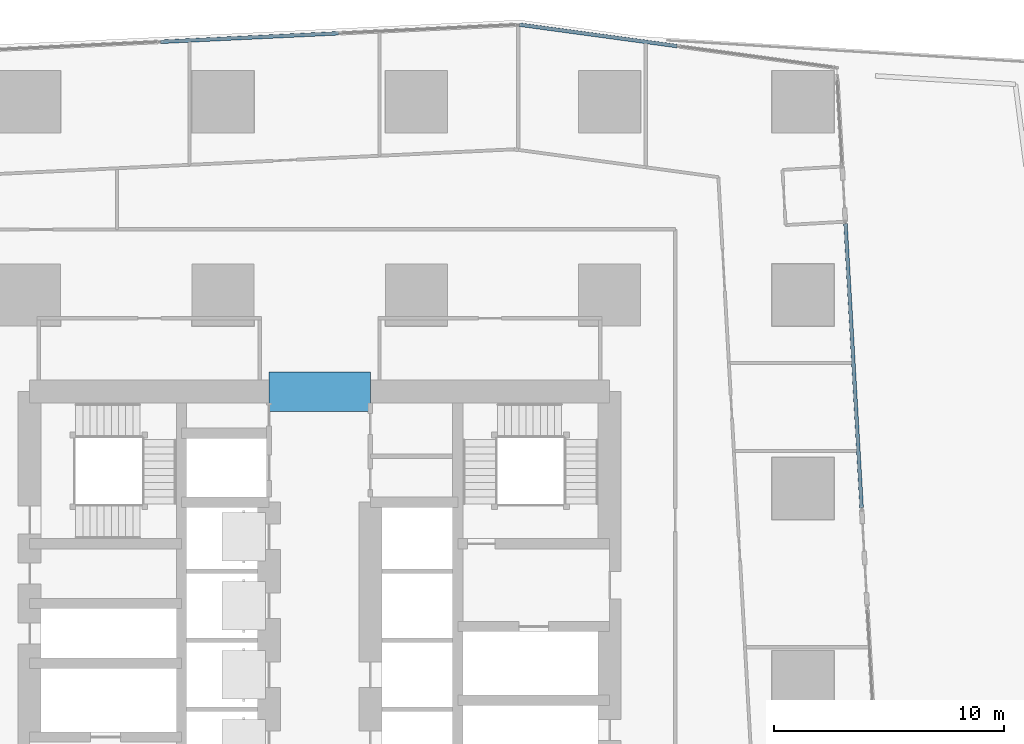
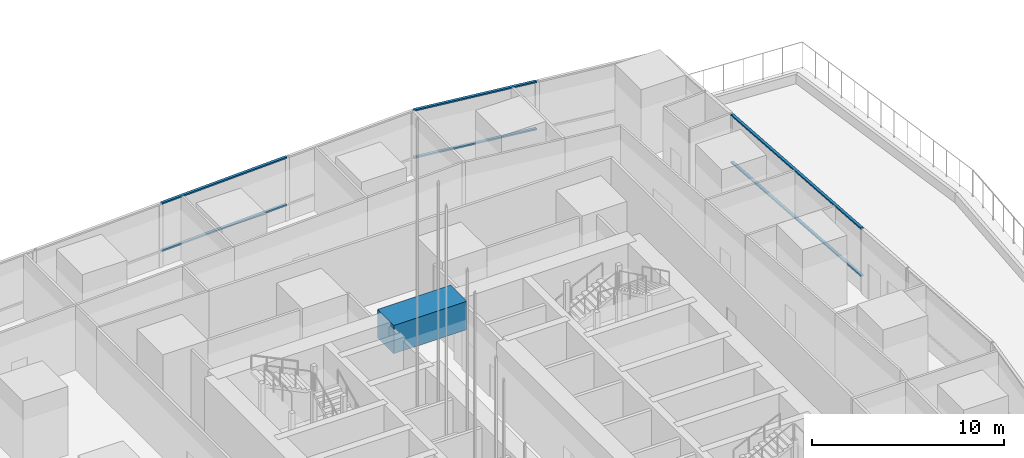
# One storey, part 10 of 39: 6 members, 1 beam, 3 elements without a shape of their own.
"""IFC4 building model written with IfcOpenShell, lengths in metres."""

from ifc_helpers import new_model, si_unit, direction, frame, origin, origin_2d, place, context, subcontext, project, spatial, rectangle, hollow_rectangle, extrude, material, material_profile, profile_set, type_object, element, aggregate, save


model = new_model("IFC4")

# Units and contexts
model_context = context("Model", 3, precision=1e-05, world=origin(), true_north=direction((0.0, 1.0)))
body_context = subcontext(model_context, "Body", "Model", "MODEL_VIEW")
ifc_project = project(units=[si_unit("LENGTHUNIT", "METRE"), si_unit("AREAUNIT", "SQUARE_METRE"), si_unit("VOLUMEUNIT", "CUBIC_METRE"), si_unit("PLANEANGLEUNIT", "RADIAN"), si_unit("MASSUNIT", "GRAM", prefix="KILO")], contexts=[model_context])

# Site, building, storey
site_placement = place(None, origin())
site = spatial("IfcSite", under=ifc_project, at=site_placement, CompositionType="ELEMENT")
building_placement = place(site_placement, origin())
building = spatial("IfcBuilding", under=site, at=building_placement, Name="Rekha Terrace Tower", CompositionType="ELEMENT")
storey_placement = place(building_placement, frame((0.0, 0.0, 168.199951171875)))
storey = spatial("IfcBuildingStorey", under=building, at=storey_placement, Name="L42", CompositionType="ELEMENT", Elevation=168.199951171875)

# Curtain wall, members
ifc_material_1 = material(Name="Aluminium framing", Category="aluminium")
curtain_wall_type = type_object("IfcCurtainWallType", Name="CW5 sky garden glazing", PredefinedType="USERDEFINED", material=ifc_material_1)
curtain_wall_1_placement = place(storey_placement, origin())
curtain_wall_1 = element("IfcCurtainWall", 1, at=curtain_wall_1_placement, inside=storey, type_object=curtain_wall_type, Name="CW5 sky garden curtain wall", ObjectType="SKY GARDEN CURTAIN WALL", PredefinedType="USERDEFINED")
ifc_material_2 = material(Name="Aluminium transom section", Category="aluminium")
ifc_material_profile_1 = material_profile(ifc_material_2, hollow_rectangle(XDim=0.159912109375, YDim=0.090087890625, WallThickness=0.0029296875, at=origin_2d()), Name="AL RHS 160x90")
ifc_profile_set_1 = profile_set([ifc_material_profile_1], Name="Aluminium transom section")
member_type = type_object("IfcMemberType", Name="CW5 transom RHS 90 x 160", PredefinedType="USERDEFINED", material=ifc_profile_set_1)
member_1_placement = place(storey_placement, frame((61.3447265625, 41.158203125, 1.199951171875), z_axis=(-0.056667849027, 0.998393086358, 0.0), x_axis=(-0.998393086358, -0.056667849027, 0.0)))
member_1 = element("IfcMember", 2, at=member_1_placement, type_object=member_type, Name="CW5 transom 1.2", ObjectType="TRANSOM", PredefinedType="USERDEFINED", context=body_context, shape_type="SweptSolid", body=[
    extrude(hollow_rectangle(XDim=0.159912109375, YDim=0.090087890625, WallThickness=0.0029296875, at=origin_2d()), origin(), (0.0, 0.0, 1.0), 12.3603515625),
])
member_2_placement = place(storey_placement, frame((61.3447265625, 41.158203125, 4.205078125), z_axis=(-0.056667849027, 0.998393086358, 0.0), x_axis=(-0.998393086358, -0.056667849027, 0.0)))
member_2 = element("IfcMember", 3, at=member_2_placement, type_object=member_type, Name="CW5 transom 1.3", ObjectType="TRANSOM", PredefinedType="USERDEFINED", context=body_context, shape_type="SweptSolid", body=[
    extrude(hollow_rectangle(XDim=0.159912109375, YDim=0.090087890625, WallThickness=0.0029296875, at=origin_2d()), origin(), (0.0, 0.0, 1.0), 12.3603515625),
])
aggregate(curtain_wall_1, [member_1, member_2])

curtain_wall_2_placement = place(storey_placement, origin())
curtain_wall_2 = element("IfcCurtainWall", 4, at=curtain_wall_2_placement, inside=storey, type_object=curtain_wall_type, Name="CW5 sky garden curtain wall", ObjectType="SKY GARDEN CURTAIN WALL", PredefinedType="USERDEFINED")
member_3_placement = place(storey_placement, frame((53.324951171875, 61.2177734375, 1.199951171875), z_axis=(-0.990866258691, 0.134848275434, 0.0), x_axis=(-0.134848275434, -0.990866258691, 0.0)))
member_3 = element("IfcMember", 5, at=member_3_placement, type_object=member_type, Name="CW5 transom 2.2", ObjectType="TRANSOM", PredefinedType="USERDEFINED", context=body_context, shape_type="SweptSolid", body=[
    extrude(hollow_rectangle(XDim=0.159912109375, YDim=0.090087890625, WallThickness=0.0029296875, at=origin_2d()), origin(), (0.0, 0.0, 1.0), 6.90869140625),
])
member_4_placement = place(storey_placement, frame((53.324951171875, 61.2177734375, 4.205078125), z_axis=(-0.990866258691, 0.134848275434, 0.0), x_axis=(-0.134848275434, -0.990866258691, 0.0)))
member_4 = element("IfcMember", 6, at=member_4_placement, type_object=member_type, Name="CW5 transom 2.3", ObjectType="TRANSOM", PredefinedType="USERDEFINED", context=body_context, shape_type="SweptSolid", body=[
    extrude(hollow_rectangle(XDim=0.159912109375, YDim=0.090087890625, WallThickness=0.0029296875, at=origin_2d()), origin(), (0.0, 0.0, 1.0), 6.90869140625),
])
aggregate(curtain_wall_2, [member_3, member_4])

curtain_wall_3_placement = place(storey_placement, origin())
curtain_wall_3 = element("IfcCurtainWall", 7, at=curtain_wall_3_placement, inside=storey, type_object=curtain_wall_type, Name="CW5 sky garden curtain wall", ObjectType="SKY GARDEN CURTAIN WALL", PredefinedType="USERDEFINED")
member_5_placement = place(storey_placement, frame((38.6181640625, 61.7734375, 1.199951171875), z_axis=(-0.998859050413, -0.047755600811, 0.0), x_axis=(0.047755600811, -0.998859050413, 0.0)))
member_5 = element("IfcMember", 8, at=member_5_placement, type_object=member_type, Name="CW5 transom 2.2", ObjectType="TRANSOM", PredefinedType="USERDEFINED", context=body_context, shape_type="SweptSolid", body=[
    extrude(hollow_rectangle(XDim=0.159912109375, YDim=0.090087890625, WallThickness=0.0029296875, at=origin_2d()), origin(), (0.0, 0.0, 1.0), 7.73486328125),
])
member_6_placement = place(storey_placement, frame((38.6181640625, 61.7734375, 4.205078125), z_axis=(-0.998859050413, -0.047755600811, 0.0), x_axis=(0.047755600811, -0.998859050413, 0.0)))
member_6 = element("IfcMember", 9, at=member_6_placement, type_object=member_type, Name="CW5 transom 2.3", ObjectType="TRANSOM", PredefinedType="USERDEFINED", context=body_context, shape_type="SweptSolid", body=[
    extrude(hollow_rectangle(XDim=0.159912109375, YDim=0.090087890625, WallThickness=0.0029296875, at=origin_2d()), origin(), (0.0, 0.0, 1.0), 7.73486328125),
])
aggregate(curtain_wall_3, [member_5, member_6])

# Beam
ifc_material_3 = material(Name="Concrete M60", Category="concrete")
ifc_material_profile_2 = material_profile(ifc_material_3, rectangle(XDim=1.699951171875, YDim=1.800048828125, at=origin_2d()), Name="RC 1700x1800")
ifc_profile_set_2 = profile_set([ifc_material_profile_2], Name="Concrete M60")
beam_type = type_object("IfcBeamType", Name="LB3B 1700x1800 diagonally reinforced coupling beam", PredefinedType="LINTEL", material=ifc_profile_set_2)
beam_placement = place(storey_placement, frame((35.60009765625, 46.199951171875, 3.60009765625), z_axis=(1.0, 0.0, 0.0), x_axis=(0.0, 1.0, 0.0)))
element("IfcBeam", 10, at=beam_placement, inside=storey, type_object=beam_type, Name="Coupling beam LB3B N L42", PredefinedType="LINTEL", context=body_context, shape_type="SweptSolid", body=[
    extrude(rectangle(XDim=1.699951171875, YDim=1.800048828125, at=origin_2d()), origin(), (0.0, 0.0, 1.0), 4.39990234375),
])

save(model, "model.ifc")
